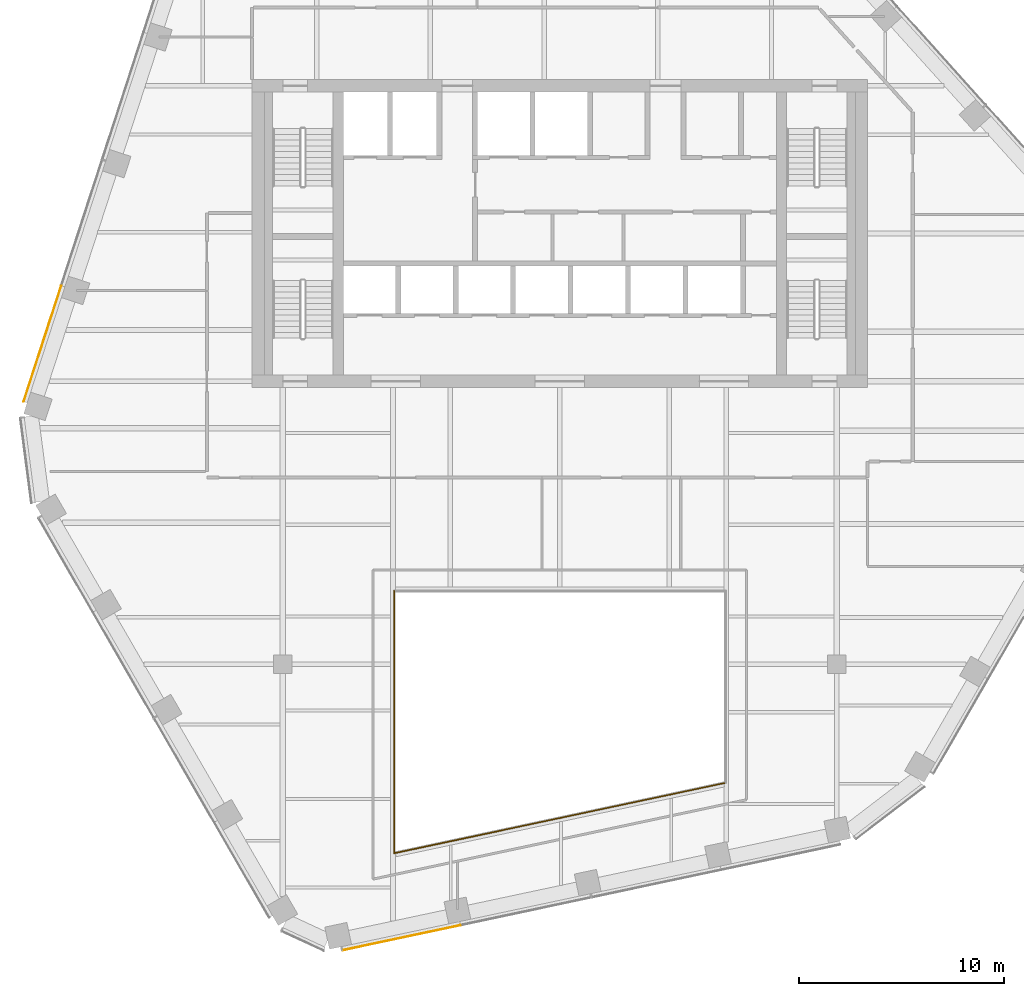
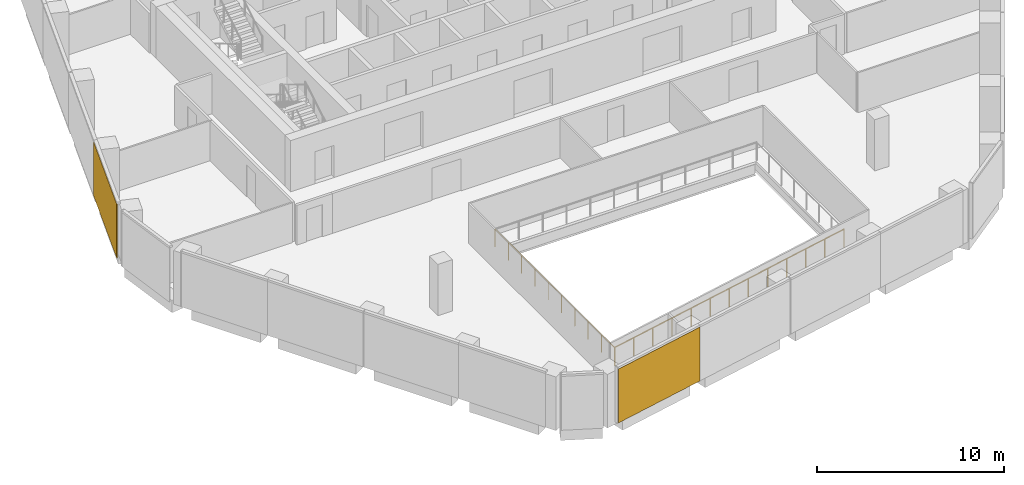
# One storey, part 12 of 16: 2 coverings, 2 railings, 2 elements without a shape of their own.
"""IFC4 building model written with IfcOpenShell, lengths in metres."""

from ifc_helpers import new_model, si_unit, direction, frame, origin, origin_2d, place, context, subcontext, project, spatial, rectangle, circle, extrude, material, layer, layer_set, type_object, element, aggregate, save


model = new_model("IFC4")

# Units and contexts
model_context = context("Model", 3, precision=1e-05, world=origin(), true_north=direction((0.0, 1.0)))
body_context = subcontext(model_context, "Body", "Model", "MODEL_VIEW")
ifc_project = project(units=[si_unit("LENGTHUNIT", "METRE"), si_unit("AREAUNIT", "SQUARE_METRE"), si_unit("VOLUMEUNIT", "CUBIC_METRE"), si_unit("PLANEANGLEUNIT", "RADIAN"), si_unit("MASSUNIT", "GRAM", prefix="KILO")], contexts=[model_context])

# Site, building, storey
site_placement = place(None, origin())
site = spatial("IfcSite", under=ifc_project, at=site_placement, CompositionType="ELEMENT")
building_placement = place(site_placement, origin())
building = spatial("IfcBuilding", under=site, at=building_placement, Name="Isthmus Gate Tower", CompositionType="ELEMENT")
storey_placement = place(building_placement, frame((0.0, 0.0, 252.800048828125)))
storey = spatial("IfcBuildingStorey", under=building, at=storey_placement, Name="L64", CompositionType="ELEMENT", Elevation=252.800048828125)

# Railings
ifc_material_1 = material(Name="Laminated toughened glass balustrade with steel rail", Category="steel")
railing_type = type_object("IfcRailingType", Name="ATRIUM GUARD GLASS BALUSTRADE 1200", PredefinedType="GUARDRAIL", material=ifc_material_1)
railing_1_placement = place(storey_placement, frame((-8.080078125, -22.7099609375, 0.0)))
element("IfcRailing", 1, at=railing_1_placement, inside=storey, type_object=railing_type, Name="L64 atrium guard", PredefinedType="GUARDRAIL", context=body_context, shape_type="SweptSolid", body=[
    extrude(circle(Radius=0.02490234375, at=origin_2d()), frame((0.0, 0.0, 1.1748046875), z_axis=(0.0, 1.0, 0.0), x_axis=(-1.0, 0.0, 0.0)), (0.0, 0.0, 1.0), 12.7900390625),
    extrude(circle(Radius=0.02490234375, at=origin_2d()), origin(), (0.0, 0.0, 1.0), 1.14990234375),
    extrude(circle(Radius=0.02490234375, at=origin_2d()), frame((0.0, 1.421142578125, 0.0)), (0.0, 0.0, 1.0), 1.14990234375),
    extrude(circle(Radius=0.02490234375, at=origin_2d()), frame((0.0, 2.84228515625, 0.0)), (0.0, 0.0, 1.0), 1.14990234375),
    extrude(circle(Radius=0.02490234375, at=origin_2d()), frame((0.0, 4.263427734375, 0.0)), (0.0, 0.0, 1.0), 1.14990234375),
    extrude(circle(Radius=0.02490234375, at=origin_2d()), frame((0.0, 5.6845703125, 0.0)), (0.0, 0.0, 1.0), 1.14990234375),
    extrude(circle(Radius=0.02490234375, at=origin_2d()), frame((0.0, 7.10546875, 0.0)), (0.0, 0.0, 1.0), 1.14990234375),
    extrude(circle(Radius=0.02490234375, at=origin_2d()), frame((0.0, 8.526611328125, 0.0)), (0.0, 0.0, 1.0), 1.14990234375),
    extrude(circle(Radius=0.02490234375, at=origin_2d()), frame((0.0, 9.94775390625, 0.0)), (0.0, 0.0, 1.0), 1.14990234375),
    extrude(circle(Radius=0.02490234375, at=origin_2d()), frame((0.0, 11.368896484375, 0.0)), (0.0, 0.0, 1.0), 1.14990234375),
    extrude(circle(Radius=0.02490234375, at=origin_2d()), frame((0.0, 12.7900390625, 0.0)), (0.0, 0.0, 1.0), 1.14990234375),
])
railing_2_placement = place(storey_placement, frame((8.080078125, -19.27490234375, 0.0)))
element("IfcRailing", 2, at=railing_2_placement, inside=storey, type_object=railing_type, Name="L64 atrium guard", PredefinedType="GUARDRAIL", context=body_context, shape_type="SweptSolid", body=[
    extrude(circle(Radius=0.02490234375, at=origin_2d()), frame((0.0, 0.0, 1.1748046875), z_axis=(-0.978146230105, -0.207918139013, 0.0), x_axis=(0.207918139013, -0.978146230105, 0.0)), (0.0, 0.0, 1.0), 16.521240234375),
    extrude(circle(Radius=0.02490234375, at=origin_2d()), origin(), (0.0, 0.0, 1.0), 1.14990234375),
    extrude(circle(Radius=0.02490234375, at=origin_2d()), frame((-1.3466796875, -0.2861328125, 0.0)), (0.0, 0.0, 1.0), 1.14990234375),
    extrude(circle(Radius=0.02490234375, at=origin_2d()), frame((-2.693359375, -0.572509765625, 0.0)), (0.0, 0.0, 1.0), 1.14990234375),
    extrude(circle(Radius=0.02490234375, at=origin_2d()), frame((-4.0400390625, -0.85888671875, 0.0)), (0.0, 0.0, 1.0), 1.14990234375),
    extrude(circle(Radius=0.02490234375, at=origin_2d()), frame((-5.38671875, -1.14501953125, 0.0)), (0.0, 0.0, 1.0), 1.14990234375),
    extrude(circle(Radius=0.02490234375, at=origin_2d()), frame((-6.7333984375, -1.43115234375, 0.0)), (0.0, 0.0, 1.0), 1.14990234375),
    extrude(circle(Radius=0.02490234375, at=origin_2d()), frame((-8.080078125, -1.717529296875, 0.0)), (0.0, 0.0, 1.0), 1.14990234375),
    extrude(circle(Radius=0.02490234375, at=origin_2d()), frame((-9.4267578125, -2.00390625, 0.0)), (0.0, 0.0, 1.0), 1.14990234375),
    extrude(circle(Radius=0.02490234375, at=origin_2d()), frame((-10.7734375, -2.2900390625, 0.0)), (0.0, 0.0, 1.0), 1.14990234375),
    extrude(circle(Radius=0.02490234375, at=origin_2d()), frame((-12.1201171875, -2.576171875, 0.0)), (0.0, 0.0, 1.0), 1.14990234375),
    extrude(circle(Radius=0.02490234375, at=origin_2d()), frame((-13.466796875, -2.862548828125, 0.0)), (0.0, 0.0, 1.0), 1.14990234375),
    extrude(circle(Radius=0.02490234375, at=origin_2d()), frame((-14.8134765625, -3.14892578125, 0.0)), (0.0, 0.0, 1.0), 1.14990234375),
    extrude(circle(Radius=0.02490234375, at=origin_2d()), frame((-16.16015625, -3.43505859375, 0.0)), (0.0, 0.0, 1.0), 1.14990234375),
])

# Curtain wall, covering
ifc_material_2 = material(Name="Aluminium, pale champagne anodised", Category="aluminium")
ifc_layer_1 = layer(ifc_material_2, 0.199951171875)
ifc_layer_set_1 = layer_set([ifc_layer_1], Name="CW-1 UNITISED CURTAIN WALL 200 DEEP")
curtain_wall_type = type_object("IfcCurtainWallType", Name="CW-1 UNITISED CURTAIN WALL 200 DEEP", PredefinedType="NOTDEFINED", material=ifc_layer_set_1)
curtain_wall_1_placement = place(storey_placement, origin())
curtain_wall_1 = element("IfcCurtainWall", 3, at=curtain_wall_1_placement, inside=storey, type_object=curtain_wall_type, Name="CW-1 NW L64", PredefinedType="NOTDEFINED")
ifc_material_3 = material(Name="Aluminium composite panel, pale champagne anodised", Category="aluminium")
ifc_layer_2 = layer(ifc_material_3, 0.031982421875)
ifc_layer_set_2 = layer_set([ifc_layer_2], Name="CW-1 PALE METAL PANEL 32")
covering_type = type_object("IfcCoveringType", Name="CW-1 PALE METAL PANEL 32", PredefinedType="CLADDING", material=ifc_layer_set_2)
covering_1_placement = place(storey_placement, frame((-25.215576171875, 2.123779296875, 0.0), z_axis=(0.0, 0.0, 1.0), x_axis=(-0.309016994375, -0.951056516295, 0.0)))
covering_1 = element("IfcCovering", 4, at=covering_1_placement, type_object=covering_type, Name="CW-1 pale metal panel", PredefinedType="CLADDING", context=body_context, shape_type="SweptSolid", body=[
    extrude(rectangle(XDim=5.94189453125, YDim=0.031982421875, at=origin_2d()), origin(), (0.0, 0.0, 1.0), 3.52001953125),
])
aggregate(curtain_wall_1, [covering_1])

curtain_wall_2_placement = place(storey_placement, origin())
curtain_wall_2 = element("IfcCurtainWall", 5, at=curtain_wall_2_placement, inside=storey, type_object=curtain_wall_type, Name="CW-1 S L64", PredefinedType="NOTDEFINED")
covering_2_placement = place(storey_placement, frame((-7.71435546875, -26.827880859375, 0.0), z_axis=(0.0, 0.0, 1.0), x_axis=(0.978147600734, 0.207911690818, 0.0)))
covering_2 = element("IfcCovering", 6, at=covering_2_placement, type_object=covering_type, Name="CW-1 pale metal panel", PredefinedType="CLADDING", context=body_context, shape_type="SweptSolid", body=[
    extrude(rectangle(XDim=5.8818359375, YDim=0.031982421875, at=origin_2d()), origin(), (0.0, 0.0, 1.0), 3.52001953125),
])
aggregate(curtain_wall_2, [covering_2])

save(model, "model.ifc")
